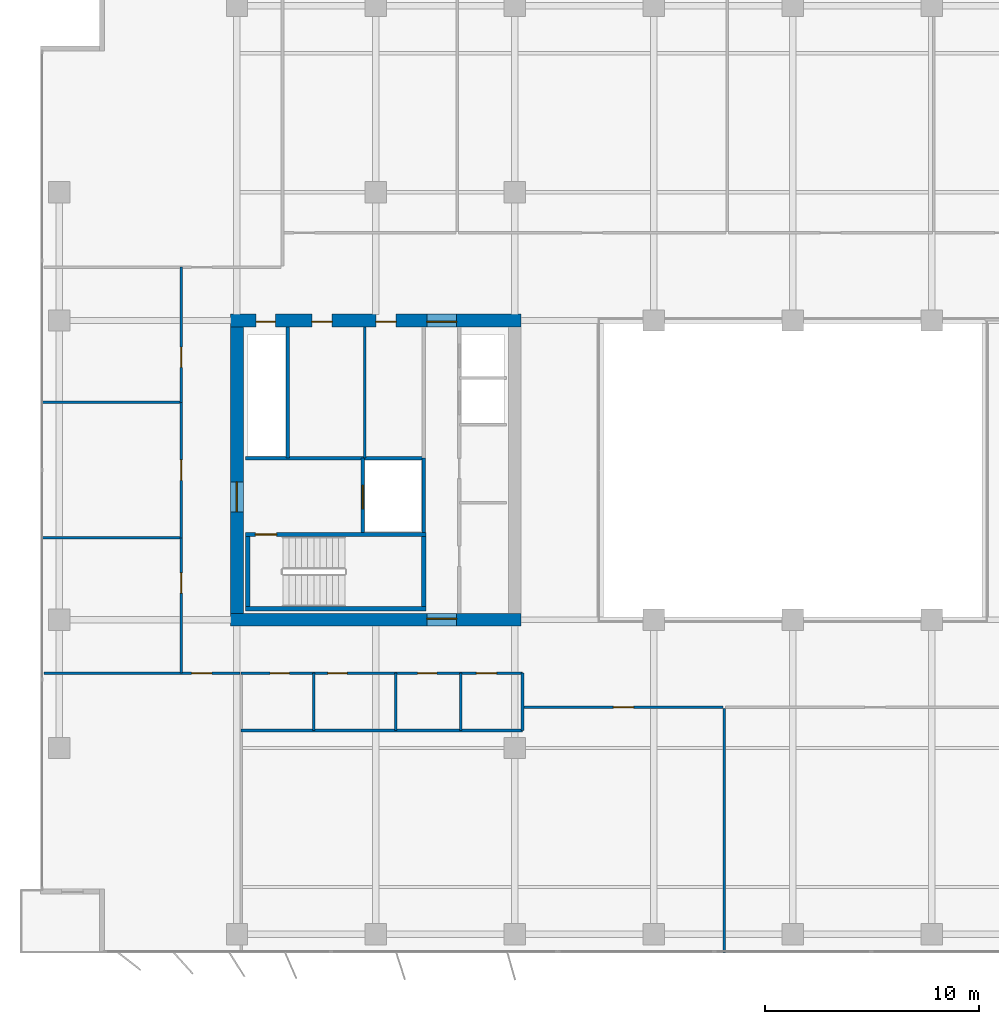
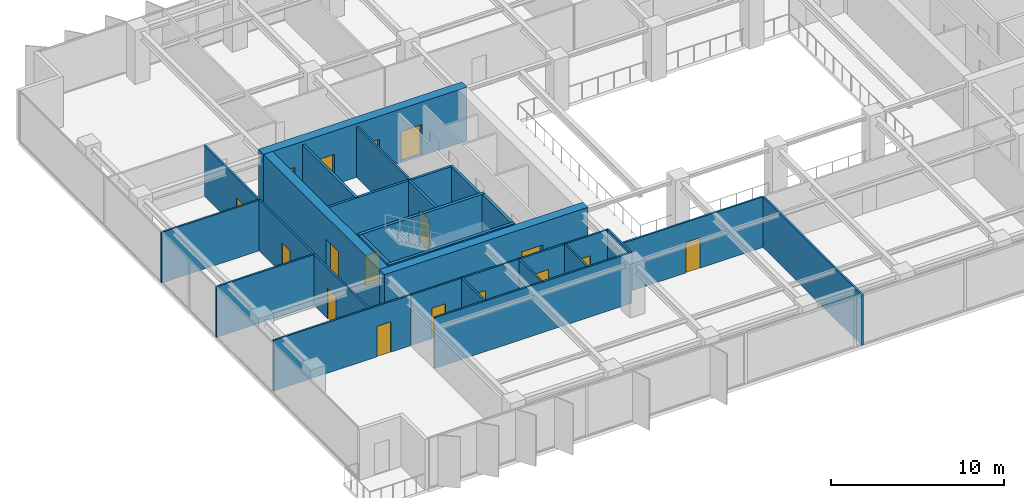
# One storey, part 15 of 22: 26 walls, 17 doors, 17 openings.
"""IFC4 building model written with IfcOpenShell, lengths in metres."""

from ifc_helpers import new_model, si_unit, direction, frame, frame_2d, origin, place, context, subcontext, project, spatial, rectangle, extrude, material, layer, layer_set, type_object, element, fill, save


model = new_model("IFC4")

# Units and contexts
model_context = context("Model", 3, precision=1e-05, world=origin(), true_north=direction((0.0, 1.0)))
body_context = subcontext(model_context, "Body", "Model", "MODEL_VIEW")
ifc_project = project(units=[si_unit("LENGTHUNIT", "METRE"), si_unit("AREAUNIT", "SQUARE_METRE"), si_unit("VOLUMEUNIT", "CUBIC_METRE"), si_unit("PLANEANGLEUNIT", "RADIAN"), si_unit("MASSUNIT", "GRAM", prefix="KILO")], contexts=[model_context])

# Site, building, storey
site_placement = place(None, origin())
site = spatial("IfcSite", under=ifc_project, at=site_placement, CompositionType="ELEMENT")
building_placement = place(site_placement, origin())
building = spatial("IfcBuilding", under=site, at=building_placement, Name="Putna Gate Headquarters", CompositionType="ELEMENT")
storey_placement = place(building_placement, frame((0.0, 0.0, 159.39990234375)))
storey = spatial("IfcBuildingStorey", under=building, at=storey_placement, Name="L39", CompositionType="ELEMENT", Elevation=159.39990234375)

# Wall, opening, door
ifc_material_1 = material(Name="Concrete C50/60", Category="concrete")
ifc_layer_1 = layer(ifc_material_1, 0.60009765625)
ifc_layer_set_1 = layer_set([ifc_layer_1], Name="Concrete C50/60")
wall_type_1 = type_object("IfcWallType", Name="WALL-CORE-600", PredefinedType="SHEAR", material=ifc_layer_set_1)
wall_1_placement = place(storey_placement, frame((12.699951171875, 19.0, 0.0), z_axis=(0.0, 0.0, 1.0), x_axis=(1.0, 0.0, 0.0)))
wall_1 = element("IfcWall", 1, at=wall_1_placement, inside=storey, type_object=wall_type_1, Name="L39 WC Split Core Shear Wall S", PredefinedType="SHEAR", context=body_context, shape_type="SweptSolid", body=[
    extrude(rectangle(XDim=13.60009765625, YDim=0.60009765625, at=frame_2d((6.800048828125, 0.0))), origin(), (0.0, 0.0, 1.0), 3.800048828125),
])
opening_1_placement = place(wall_1_placement, frame((9.179931640625, 0.0, 0.0)))
opening_1 = element("IfcOpeningElement", 2, at=opening_1_placement, cuts=wall_1, Name="Opening FDD-140", PredefinedType="OPENING", context=body_context, shape_type="SweptSolid", body=[
    extrude(rectangle(XDim=1.39990234375, YDim=2.199951171875, at=frame_2d((0.699951171875, 1.10009765625))), frame((0.0, 0.31005859375, 0.0), z_axis=(0.0, -1.0, 0.0), x_axis=(1.0, 0.0, 0.0)), (0.0, 0.0, 1.0), 0.6201171875),
])
ifc_material_2 = material(Name="Double steel fire door", Category="steel")
door_type_1 = type_object("IfcDoorType", Name="DOOR-FIRE-DBL-1400", OperationType="DOUBLE_DOOR_SINGLE_SWING", PredefinedType="DOOR", material=ifc_material_2)
door_1_placement = place(opening_1_placement, origin())
door_1 = element("IfcDoor", 3, at=door_1_placement, inside=storey, type_object=door_type_1, Name="L39 West Lift Lobby South Door", OperationType="DOUBLE_DOOR_SINGLE_SWING", OverallHeight=2.199951171875, OverallWidth=1.39990234375, PredefinedType="DOOR", context=body_context, shape_type="SweptSolid", body=[
    extrude(rectangle(XDim=1.39990234375, YDim=2.199951171875, at=frame_2d((0.699951171875, 1.10009765625))), frame((0.0, 0.0751953125, 0.0), z_axis=(0.0, -1.0, 0.0), x_axis=(1.0, 0.0, 0.0)), (0.0, 0.0, 1.0), 0.050048828125),
])
fill(opening_1, door_1)

# Wall, openings, doors
wall_2_placement = place(storey_placement, frame((12.699951171875, 33.0, 0.0), z_axis=(0.0, 0.0, 1.0), x_axis=(1.0, 0.0, 0.0)))
wall_2 = element("IfcWall", 4, at=wall_2_placement, inside=storey, type_object=wall_type_1, Name="L39 WC Split Core Shear Wall N", PredefinedType="SHEAR", context=body_context, shape_type="SweptSolid", body=[
    extrude(rectangle(XDim=13.60009765625, YDim=0.60009765625, at=frame_2d((6.800048828125, 0.0))), origin(), (0.0, 0.0, 1.0), 3.800048828125),
])
opening_2_placement = place(wall_2_placement, frame((1.199951171875, 0.0, 0.0)))
opening_2 = element("IfcOpeningElement", 5, at=opening_2_placement, cuts=wall_2, Name="Opening RD-90", PredefinedType="OPENING", context=body_context, shape_type="SweptSolid", body=[
    extrude(rectangle(XDim=0.89990234375, YDim=2.14990234375, at=frame_2d((0.449951171875, 1.074951171875))), frame((0.0, 0.31005859375, 0.0), z_axis=(0.0, -1.0, 0.0), x_axis=(1.0, 0.0, 0.0)), (0.0, 0.0, 1.0), 0.6201171875),
])
opening_3_placement = place(wall_2_placement, frame((3.800048828125, 0.0, 0.0)))
opening_3 = element("IfcOpeningElement", 6, at=opening_3_placement, cuts=wall_2, Name="Opening IDS-95", PredefinedType="OPENING", context=body_context, shape_type="SweptSolid", body=[
    extrude(rectangle(XDim=0.949951171875, YDim=2.14990234375, at=frame_2d((0.47509765625, 1.074951171875))), frame((0.0, 0.31005859375, 0.0), z_axis=(0.0, -1.0, 0.0), x_axis=(1.0, 0.0, 0.0)), (0.0, 0.0, 1.0), 0.6201171875),
])
opening_4_placement = place(wall_2_placement, frame((6.800048828125, 0.0, 0.0)))
opening_4 = element("IfcOpeningElement", 7, at=opening_4_placement, cuts=wall_2, Name="Opening IDS-95", PredefinedType="OPENING", context=body_context, shape_type="SweptSolid", body=[
    extrude(rectangle(XDim=0.949951171875, YDim=2.14990234375, at=frame_2d((0.47509765625, 1.074951171875))), frame((0.0, 0.31005859375, 0.0), z_axis=(0.0, -1.0, 0.0), x_axis=(1.0, 0.0, 0.0)), (0.0, 0.0, 1.0), 0.6201171875),
])
opening_5_placement = place(wall_2_placement, frame((9.179931640625, 0.0, 0.0)))
opening_5 = element("IfcOpeningElement", 8, at=opening_5_placement, cuts=wall_2, Name="Opening FDD-140", PredefinedType="OPENING", context=body_context, shape_type="SweptSolid", body=[
    extrude(rectangle(XDim=1.39990234375, YDim=2.199951171875, at=frame_2d((0.699951171875, 1.10009765625))), frame((0.0, 0.31005859375, 0.0), z_axis=(0.0, -1.0, 0.0), x_axis=(1.0, 0.0, 0.0)), (0.0, 0.0, 1.0), 0.6201171875),
])
door_2_placement = place(opening_5_placement, origin())
door_2 = element("IfcDoor", 9, at=door_2_placement, inside=storey, type_object=door_type_1, Name="L39 West Lift Lobby North Door", OperationType="DOUBLE_DOOR_SINGLE_SWING", OverallHeight=2.199951171875, OverallWidth=1.39990234375, PredefinedType="DOOR", context=body_context, shape_type="SweptSolid", body=[
    extrude(rectangle(XDim=1.39990234375, YDim=2.199951171875, at=frame_2d((0.699951171875, 1.10009765625))), frame((0.0, -0.02490234375, 0.0), z_axis=(0.0, -1.0, 0.0), x_axis=(1.0, 0.0, 0.0)), (0.0, 0.0, 1.0), 0.050048828125),
])
fill(opening_5, door_2)
ifc_material_3 = material(Name="Fire-rated service timber door", Category="wood")
door_type_2 = type_object("IfcDoorType", Name="DOOR-INT-950", OperationType="NOTDEFINED", PredefinedType="DOOR", material=ifc_material_3)
door_3_placement = place(opening_3_placement, origin())
door_3 = element("IfcDoor", 10, at=door_3_placement, inside=storey, type_object=door_type_2, Name="L39 Cleaner Store Door", OperationType="SINGLE_SWING_LEFT", OverallHeight=2.14990234375, OverallWidth=0.949951171875, PredefinedType="DOOR", context=body_context, shape_type="SweptSolid", body=[
    extrude(rectangle(XDim=0.949951171875, YDim=2.14990234375, at=frame_2d((0.47509765625, 1.074951171875))), frame((0.0, -0.02490234375, 0.0), z_axis=(0.0, -1.0, 0.0), x_axis=(1.0, 0.0, 0.0)), (0.0, 0.0, 1.0), 0.050048828125),
])
fill(opening_3, door_3)
door_4_placement = place(opening_4_placement, origin())
door_4 = element("IfcDoor", 11, at=door_4_placement, inside=storey, type_object=door_type_2, Name="L39 Comms Plant Door", OperationType="SINGLE_SWING_RIGHT", OverallHeight=2.14990234375, OverallWidth=0.949951171875, PredefinedType="DOOR", context=body_context, shape_type="SweptSolid", body=[
    extrude(rectangle(XDim=0.949951171875, YDim=2.14990234375, at=frame_2d((0.47509765625, 1.074951171875))), frame((0.0, -0.02490234375, 0.0), z_axis=(0.0, -1.0, 0.0), x_axis=(1.0, 0.0, 0.0)), (0.0, 0.0, 1.0), 0.050048828125),
])
fill(opening_4, door_4)
ifc_material_4 = material(Name="Steel riser access fire door", Category="steel")
door_type_3 = type_object("IfcDoorType", Name="DOOR-RISER-900", OperationType="NOTDEFINED", PredefinedType="DOOR", material=ifc_material_4)
door_5_placement = place(opening_2_placement, origin())
door_5 = element("IfcDoor", 12, at=door_5_placement, inside=storey, type_object=door_type_3, Name="L39 West Riser Access Door", OperationType="SINGLE_SWING_RIGHT", OverallHeight=2.14990234375, OverallWidth=0.89990234375, PredefinedType="DOOR", context=body_context, shape_type="SweptSolid", body=[
    extrude(rectangle(XDim=0.89990234375, YDim=2.14990234375, at=frame_2d((0.449951171875, 1.074951171875))), frame((0.0, -0.02490234375, 0.0), z_axis=(0.0, -1.0, 0.0), x_axis=(1.0, 0.0, 0.0)), (0.0, 0.0, 1.0), 0.050048828125),
])
fill(opening_2, door_5)

# Wall, opening, door
wall_3_placement = place(storey_placement, frame((13.0, 19.300048828125, 0.0), z_axis=(0.0, 0.0, 1.0), x_axis=(0.0, 1.0, 0.0)))
wall_3 = element("IfcWall", 13, at=wall_3_placement, inside=storey, type_object=wall_type_1, Name="L39 WC Split Core Shear Wall W", PredefinedType="SHEAR", context=body_context, shape_type="SweptSolid", body=[
    extrude(rectangle(XDim=13.39990234375, YDim=0.60009765625, at=frame_2d((6.699951171875, 0.0))), origin(), (0.0, 0.0, 1.0), 3.800048828125),
])
opening_6_placement = place(wall_3_placement, frame((4.75, 0.0, 0.0)))
opening_6 = element("IfcOpeningElement", 14, at=opening_6_placement, cuts=wall_3, Name="Opening FDD-140", PredefinedType="OPENING", context=body_context, shape_type="SweptSolid", body=[
    extrude(rectangle(XDim=1.39990234375, YDim=2.199951171875, at=frame_2d((0.699951171875, 1.10009765625))), frame((0.0, 0.31005859375, 0.0), z_axis=(0.0, -1.0, 0.0), x_axis=(1.0, 0.0, 0.0)), (0.0, 0.0, 1.0), 0.6201171875),
])
door_6_placement = place(opening_6_placement, origin())
door_6 = element("IfcDoor", 15, at=door_6_placement, inside=storey, type_object=door_type_1, Name="L39 West Firefighting Lobby Door", OperationType="DOUBLE_DOOR_SINGLE_SWING", OverallHeight=2.199951171875, OverallWidth=1.39990234375, PredefinedType="DOOR", context=body_context, shape_type="SweptSolid", body=[
    extrude(rectangle(XDim=1.39990234375, YDim=2.199951171875, at=frame_2d((0.699951171875, 1.10009765625))), frame((0.0, 0.02490234375, 0.0), z_axis=(0.0, -1.0, 0.0), x_axis=(1.0, 0.0, 0.0)), (0.0, 0.0, 1.0), 0.050048828125),
])
fill(opening_6, door_6)

# Walls
ifc_material_5 = material(Name="Acoustic gypsum board on metal stud")
ifc_layer_2 = layer(ifc_material_5, 0.1201171875)
ifc_layer_set_2 = layer_set([ifc_layer_2], Name="Acoustic gypsum board on metal stud")
wall_type_2 = type_object("IfcWallType", Name="WALL-PART-120", PredefinedType="PARTITIONING", material=ifc_layer_set_2)
wall_4_placement = place(storey_placement, frame((35.800048828125, 3.419921875, 0.0), z_axis=(0.0, 0.0, 1.0), x_axis=(0.0, 1.0, 0.0)))
element("IfcWall", 16, at=wall_4_placement, inside=storey, type_object=wall_type_2, Name="L39 Interior Wall PART-L39-SB-DIV-02", PredefinedType="PARTITIONING", context=body_context, shape_type="SweptSolid", body=[
    extrude(rectangle(XDim=11.420166015625, YDim=0.1201171875, at=frame_2d((5.7099609375, 0.0))), origin(), (0.0, 0.0, 1.0), 3.572021484375),
])
for number, where, z_axis, x_axis, name in (
    (17, (3.820068359375, 22.833251953125, 0.0), (0.0, 0.0, 1.0), (1.0, 0.0, 0.0), "L39 Interior Wall PART-L39-WW-DIV-1"),
    (18, (3.820068359375, 29.166748046875, 0.0), (0.0, 0.0, 1.0), (1.0, 0.0, 0.0), "L39 Interior Wall PART-L39-WW-DIV-2"),
):
    element("IfcWall", number, at=place(storey_placement, frame(where, z_axis=z_axis, x_axis=x_axis)), inside=storey, type_object=wall_type_2, Name=name, PredefinedType="PARTITIONING", context=body_context, shape_type="SweptSolid", body=[
        extrude(rectangle(XDim=6.579833984375, YDim=0.1201171875, at=frame_2d((3.2900390625, 0.0))), origin(), (0.0, 0.0, 1.0), 3.572021484375),
    ])
ifc_material_6 = material(Name="Fire-rated gypsum board on metal stud")
ifc_layer_3 = layer(ifc_material_6, 0.1201171875)
ifc_layer_set_3 = layer_set([ifc_layer_3], Name="Fire-rated gypsum board on metal stud")
wall_type_3 = type_object("IfcWallType", Name="WALL-PART-120-RATED", PredefinedType="PARTITIONING", material=ifc_layer_set_3)
wall_5_placement = place(storey_placement, frame((18.969970703125, 26.56005859375, 0.0), z_axis=(0.0, 0.0, 1.0), x_axis=(0.0, 1.0, 0.0)))
element("IfcWall", 19, at=wall_5_placement, inside=storey, type_object=wall_type_3, Name="L39 Interior Wall CWINT-L39-WC-K0-DIV", PredefinedType="PARTITIONING", context=body_context, shape_type="SweptSolid", body=[
    extrude(rectangle(XDim=6.139892578125, YDim=0.1201171875, at=frame_2d((3.06982421875, 0.0))), origin(), (0.0, 0.0, 1.0), 3.572021484375),
])

# Wall, openings, doors
wall_6_placement = place(storey_placement, frame((13.199951171875, 16.5, 0.0), z_axis=(0.0, 0.0, 1.0), x_axis=(1.0, 0.0, 0.0)))
wall_6 = element("IfcWall", 20, at=wall_6_placement, inside=storey, type_object=wall_type_3, Name="L39 Interior Wall PART-L39-SAN-CW", PredefinedType="PARTITIONING", context=body_context, shape_type="SweptSolid", body=[
    extrude(rectangle(XDim=13.16015625, YDim=0.1201171875, at=frame_2d((6.580078125, 0.0))), origin(), (0.0, 0.0, 1.0), 3.572021484375),
])
opening_7_placement = place(wall_6_placement, frame((1.35009765625, 0.0, 0.0)))
opening_7 = element("IfcOpeningElement", 21, at=opening_7_placement, cuts=wall_6, Name="Opening FD-90", PredefinedType="OPENING", context=body_context, shape_type="SweptSolid", body=[
    extrude(rectangle(XDim=0.89990234375, YDim=2.14990234375, at=frame_2d((0.449951171875, 1.074951171875))), frame((0.0, 0.070068359375, 0.0), z_axis=(0.0, -1.0, 0.0), x_axis=(1.0, 0.0, 0.0)), (0.0, 0.0, 1.0), 0.14013671875),
])
opening_8_placement = place(wall_6_placement, frame((4.050048828125, 0.0, 0.0)))
opening_8 = element("IfcOpeningElement", 22, at=opening_8_placement, cuts=wall_6, Name="Opening FD-90", PredefinedType="OPENING", context=body_context, shape_type="SweptSolid", body=[
    extrude(rectangle(XDim=0.89990234375, YDim=2.14990234375, at=frame_2d((0.449951171875, 1.074951171875))), frame((0.0, 0.070068359375, 0.0), z_axis=(0.0, -1.0, 0.0), x_axis=(1.0, 0.0, 0.0)), (0.0, 0.0, 1.0), 0.14013671875),
])
opening_9_placement = place(wall_6_placement, frame((8.25, 0.0, 0.0)))
opening_9 = element("IfcOpeningElement", 23, at=opening_9_placement, cuts=wall_6, Name="Opening FD-90", PredefinedType="OPENING", context=body_context, shape_type="SweptSolid", body=[
    extrude(rectangle(XDim=0.89990234375, YDim=2.14990234375, at=frame_2d((0.449951171875, 1.074951171875))), frame((0.0, 0.070068359375, 0.0), z_axis=(0.0, -1.0, 0.0), x_axis=(1.0, 0.0, 0.0)), (0.0, 0.0, 1.0), 0.14013671875),
])
opening_10_placement = place(wall_6_placement, frame((11.0, 0.0, 0.0)))
opening_10 = element("IfcOpeningElement", 24, at=opening_10_placement, cuts=wall_6, Name="Opening FD-95", PredefinedType="OPENING", context=body_context, shape_type="SweptSolid", body=[
    extrude(rectangle(XDim=0.949951171875, YDim=2.14990234375, at=frame_2d((0.47509765625, 1.074951171875))), frame((0.0, 0.070068359375, 0.0), z_axis=(0.0, -1.0, 0.0), x_axis=(1.0, 0.0, 0.0)), (0.0, 0.0, 1.0), 0.14013671875),
])
ifc_material_7 = material(Name="Acoustic washroom fire door")
door_type_4 = type_object("IfcDoorType", Name="DOOR-FIRE-900", OperationType="NOTDEFINED", PredefinedType="DOOR", material=ifc_material_7)
door_7_placement = place(opening_7_placement, origin())
door_7 = element("IfcDoor", 25, at=door_7_placement, inside=storey, type_object=door_type_4, Name="L39 Washroom Male Door", OperationType="SINGLE_SWING_RIGHT", OverallHeight=2.14990234375, OverallWidth=0.89990234375, PredefinedType="DOOR", context=body_context, shape_type="SweptSolid", body=[
    extrude(rectangle(XDim=0.89990234375, YDim=2.14990234375, at=frame_2d((0.449951171875, 1.074951171875))), frame((0.0, 0.02490234375, 0.0), z_axis=(0.0, -1.0, 0.0), x_axis=(1.0, 0.0, 0.0)), (0.0, 0.0, 1.0), 0.050048828125),
])
fill(opening_7, door_7)
door_8_placement = place(opening_8_placement, origin())
door_8 = element("IfcDoor", 26, at=door_8_placement, inside=storey, type_object=door_type_4, Name="L39 Washroom Female Door", OperationType="SINGLE_SWING_LEFT", OverallHeight=2.14990234375, OverallWidth=0.89990234375, PredefinedType="DOOR", context=body_context, shape_type="SweptSolid", body=[
    extrude(rectangle(XDim=0.89990234375, YDim=2.14990234375, at=frame_2d((0.449951171875, 1.074951171875))), frame((0.0, 0.02490234375, 0.0), z_axis=(0.0, -1.0, 0.0), x_axis=(1.0, 0.0, 0.0)), (0.0, 0.0, 1.0), 0.050048828125),
])
fill(opening_8, door_8)
door_9_placement = place(opening_9_placement, origin())
door_9 = element("IfcDoor", 27, at=door_9_placement, inside=storey, type_object=door_type_4, Name="L39 Accessible WC Door", OperationType="SINGLE_SWING_RIGHT", OverallHeight=2.14990234375, OverallWidth=0.89990234375, PredefinedType="DOOR", context=body_context, shape_type="SweptSolid", body=[
    extrude(rectangle(XDim=0.89990234375, YDim=2.14990234375, at=frame_2d((0.449951171875, 1.074951171875))), frame((0.0, 0.02490234375, 0.0), z_axis=(0.0, -1.0, 0.0), x_axis=(1.0, 0.0, 0.0)), (0.0, 0.0, 1.0), 0.050048828125),
])
fill(opening_9, door_9)
ifc_material_8 = material(Name="Acoustic timber fire door", Category="wood")
door_type_5 = type_object("IfcDoorType", Name="DOOR-FIRE-950", OperationType="NOTDEFINED", PredefinedType="DOOR", material=ifc_material_8)
door_10_placement = place(opening_10_placement, origin())
door_10 = element("IfcDoor", 28, at=door_10_placement, inside=storey, type_object=door_type_5, Name="L39 Staff Pantry and Tea Point Door", OperationType="SINGLE_SWING_LEFT", OverallHeight=2.14990234375, OverallWidth=0.949951171875, PredefinedType="DOOR", context=body_context, shape_type="SweptSolid", body=[
    extrude(rectangle(XDim=0.949951171875, YDim=2.14990234375, at=frame_2d((0.47509765625, 1.074951171875))), frame((0.0, 0.02490234375, 0.0), z_axis=(0.0, -1.0, 0.0), x_axis=(1.0, 0.0, 0.0)), (0.0, 0.0, 1.0), 0.050048828125),
])
fill(opening_10, door_10)

# Walls
wall_7_placement = place(storey_placement, frame((13.199951171875, 13.820068359375, 0.0), z_axis=(0.0, 0.0, 1.0), x_axis=(1.0, 0.0, 0.0)))
element("IfcWall", 29, at=wall_7_placement, inside=storey, type_object=wall_type_3, Name="L39 Interior Wall PART-L39-SAN-BACK", PredefinedType="PARTITIONING", context=body_context, shape_type="SweptSolid", body=[
    extrude(rectangle(XDim=13.16015625, YDim=0.1201171875, at=frame_2d((6.580078125, 0.0))), origin(), (0.0, 0.0, 1.0), 3.572021484375),
])
for number, where, z_axis, x_axis, name in (
    (30, (16.60009765625, 13.820068359375, 0.0), (0.0, 0.0, 1.0), (0.0, 1.0, 0.0), "L39 Interior Wall PART-L39-SAN-DIV-1"),
    (31, (20.419921875, 13.820068359375, 0.0), (0.0, 0.0, 1.0), (0.0, 1.0, 0.0), "L39 Interior Wall PART-L39-SAN-DIV-2"),
    (32, (23.4599609375, 13.820068359375, 0.0), (0.0, 0.0, 1.0), (0.0, 1.0, 0.0), "L39 Interior Wall PART-L39-SAN-DIV-3"),
    (33, (26.360107421875, 13.820068359375, 0.0), (0.0, 0.0, 1.0), (0.0, 1.0, 0.0), "L39 Interior Wall PART-L39-SAN-DIV-4"),
):
    element("IfcWall", number, at=place(storey_placement, frame(where, z_axis=z_axis, x_axis=x_axis)), inside=storey, type_object=wall_type_3, Name=name, PredefinedType="PARTITIONING", context=body_context, shape_type="SweptSolid", body=[
        extrude(rectangle(XDim=2.679931640625, YDim=0.1201171875, at=frame_2d((1.33984375, 0.0))), origin(), (0.0, 0.0, 1.0), 3.572021484375),
    ])

# Wall, opening, door
wall_8_placement = place(storey_placement, frame((3.97998046875, 16.5, 0.0), z_axis=(0.0, 0.0, 1.0), x_axis=(1.0, 0.0, 0.0)))
wall_8 = element("IfcWall", 34, at=wall_8_placement, inside=storey, type_object=wall_type_3, Name="L39 Interior Wall PART-L39-SB-CW-01", PredefinedType="PARTITIONING", context=body_context, shape_type="SweptSolid", body=[
    extrude(rectangle(XDim=9.159912109375, YDim=0.1201171875, at=frame_2d((4.580078125, 0.0))), origin(), (0.0, 0.0, 1.0), 3.572021484375),
])
opening_11_placement = place(wall_8_placement, frame((6.89990234375, 0.0, 0.0)))
opening_11 = element("IfcOpeningElement", 35, at=opening_11_placement, cuts=wall_8, Name="Opening FD-95", PredefinedType="OPENING", context=body_context, shape_type="SweptSolid", body=[
    extrude(rectangle(XDim=0.949951171875, YDim=2.14990234375, at=frame_2d((0.47509765625, 1.074951171875))), frame((0.0, 0.070068359375, 0.0), z_axis=(0.0, -1.0, 0.0), x_axis=(1.0, 0.0, 0.0)), (0.0, 0.0, 1.0), 0.14013671875),
])
door_11_placement = place(opening_11_placement, origin())
door_11 = element("IfcDoor", 36, at=door_11_placement, inside=storey, type_object=door_type_5, Name="L39 Cellular Office 3 Door", OperationType="SINGLE_SWING_LEFT", OverallHeight=2.14990234375, OverallWidth=0.949951171875, PredefinedType="DOOR", context=body_context, shape_type="SweptSolid", body=[
    extrude(rectangle(XDim=0.949951171875, YDim=2.14990234375, at=frame_2d((0.47509765625, 1.074951171875))), frame((0.0, 0.02490234375, 0.0), z_axis=(0.0, -1.0, 0.0), x_axis=(1.0, 0.0, 0.0)), (0.0, 0.0, 1.0), 0.050048828125),
])
fill(opening_11, door_11)

wall_9_placement = place(storey_placement, frame((26.419921875, 14.89990234375, 0.0), z_axis=(0.0, 0.0, 1.0), x_axis=(1.0, 0.0, 0.0)))
wall_9 = element("IfcWall", 37, at=wall_9_placement, inside=storey, type_object=wall_type_3, Name="L39 Interior Wall PART-L39-SB-CW-02", PredefinedType="PARTITIONING", context=body_context, shape_type="SweptSolid", body=[
    extrude(rectangle(XDim=9.320068359375, YDim=0.1201171875, at=frame_2d((4.66015625, 0.0))), origin(), (0.0, 0.0, 1.0), 3.572021484375),
])
opening_12_placement = place(wall_9_placement, frame((4.18505859375, 0.0, 0.0)))
opening_12 = element("IfcOpeningElement", 38, at=opening_12_placement, cuts=wall_9, Name="Opening FD-95", PredefinedType="OPENING", context=body_context, shape_type="SweptSolid", body=[
    extrude(rectangle(XDim=0.949951171875, YDim=2.14990234375, at=frame_2d((0.47509765625, 1.074951171875))), frame((0.0, 0.070068359375, 0.0), z_axis=(0.0, -1.0, 0.0), x_axis=(1.0, 0.0, 0.0)), (0.0, 0.0, 1.0), 0.14013671875),
])
door_12_placement = place(opening_12_placement, origin())
door_12 = element("IfcDoor", 39, at=door_12_placement, inside=storey, type_object=door_type_5, Name="L39 Primary Open Office Workplace Door", OperationType="SINGLE_SWING_RIGHT", OverallHeight=2.14990234375, OverallWidth=0.949951171875, PredefinedType="DOOR", context=body_context, shape_type="SweptSolid", body=[
    extrude(rectangle(XDim=0.949951171875, YDim=2.14990234375, at=frame_2d((0.47509765625, 1.074951171875))), frame((0.0, 0.02490234375, 0.0), z_axis=(0.0, -1.0, 0.0), x_axis=(1.0, 0.0, 0.0)), (0.0, 0.0, 1.0), 0.050048828125),
])
fill(opening_12, door_12)

wall_10_placement = place(storey_placement, frame((10.39990234375, 16.5, 0.0), z_axis=(0.0, 0.0, 1.0), x_axis=(0.0, 1.0, 0.0)))
wall_10 = element("IfcWall", 40, at=wall_10_placement, inside=storey, type_object=wall_type_3, Name="L39 Interior Wall PART-L39-WW-CW-1", PredefinedType="PARTITIONING", context=body_context, shape_type="SweptSolid", body=[
    extrude(rectangle(XDim=6.333251953125, YDim=0.1201171875, at=frame_2d((3.16650390625, 0.0))), origin(), (0.0, 0.0, 1.0), 3.572021484375),
])
opening_13_placement = place(wall_10_placement, frame((3.74169921875, 0.0, 0.0)))
opening_13 = element("IfcOpeningElement", 41, at=opening_13_placement, cuts=wall_10, Name="Opening FD-95", PredefinedType="OPENING", context=body_context, shape_type="SweptSolid", body=[
    extrude(rectangle(XDim=0.949951171875, YDim=2.14990234375, at=frame_2d((0.47509765625, 1.074951171875))), frame((0.0, 0.070068359375, 0.0), z_axis=(0.0, -1.0, 0.0), x_axis=(1.0, 0.0, 0.0)), (0.0, 0.0, 1.0), 0.14013671875),
])
door_13_placement = place(opening_13_placement, origin())
door_13 = element("IfcDoor", 42, at=door_13_placement, inside=storey, type_object=door_type_5, Name="L39 West Executive Office 1 Door", OperationType="SINGLE_SWING_RIGHT", OverallHeight=2.14990234375, OverallWidth=0.949951171875, PredefinedType="DOOR", context=body_context, shape_type="SweptSolid", body=[
    extrude(rectangle(XDim=0.949951171875, YDim=2.14990234375, at=frame_2d((0.47509765625, 1.074951171875))), frame((0.0, 0.02490234375, 0.0), z_axis=(0.0, -1.0, 0.0), x_axis=(1.0, 0.0, 0.0)), (0.0, 0.0, 1.0), 0.050048828125),
])
fill(opening_13, door_13)

wall_11_placement = place(storey_placement, frame((10.39990234375, 22.833251953125, 0.0), z_axis=(0.0, 0.0, 1.0), x_axis=(0.0, 1.0, 0.0)))
wall_11 = element("IfcWall", 43, at=wall_11_placement, inside=storey, type_object=wall_type_3, Name="L39 Interior Wall PART-L39-WW-CW-2", PredefinedType="PARTITIONING", context=body_context, shape_type="SweptSolid", body=[
    extrude(rectangle(XDim=6.33349609375, YDim=0.1201171875, at=frame_2d((3.166748046875, 0.0))), origin(), (0.0, 0.0, 1.0), 3.572021484375),
])
opening_14_placement = place(wall_11_placement, frame((2.691650390625, 0.0, 0.0)))
opening_14 = element("IfcOpeningElement", 44, at=opening_14_placement, cuts=wall_11, Name="Opening FD-95", PredefinedType="OPENING", context=body_context, shape_type="SweptSolid", body=[
    extrude(rectangle(XDim=0.949951171875, YDim=2.14990234375, at=frame_2d((0.47509765625, 1.074951171875))), frame((0.0, 0.070068359375, 0.0), z_axis=(0.0, -1.0, 0.0), x_axis=(1.0, 0.0, 0.0)), (0.0, 0.0, 1.0), 0.14013671875),
])
door_14_placement = place(opening_14_placement, origin())
door_14 = element("IfcDoor", 45, at=door_14_placement, inside=storey, type_object=door_type_5, Name="L39 West Executive Office 2 Door", OperationType="SINGLE_SWING_LEFT", OverallHeight=2.14990234375, OverallWidth=0.949951171875, PredefinedType="DOOR", context=body_context, shape_type="SweptSolid", body=[
    extrude(rectangle(XDim=0.949951171875, YDim=2.14990234375, at=frame_2d((0.47509765625, 1.074951171875))), frame((0.0, 0.02490234375, 0.0), z_axis=(0.0, -1.0, 0.0), x_axis=(1.0, 0.0, 0.0)), (0.0, 0.0, 1.0), 0.050048828125),
])
fill(opening_14, door_14)

wall_12_placement = place(storey_placement, frame((10.39990234375, 29.166748046875, 0.0), z_axis=(0.0, 0.0, 1.0), x_axis=(0.0, 1.0, 0.0)))
wall_12 = element("IfcWall", 46, at=wall_12_placement, inside=storey, type_object=wall_type_3, Name="L39 Interior Wall PART-L39-WW-CW-3", PredefinedType="PARTITIONING", context=body_context, shape_type="SweptSolid", body=[
    extrude(rectangle(XDim=6.333251953125, YDim=0.1201171875, at=frame_2d((3.16650390625, 0.0))), origin(), (0.0, 0.0, 1.0), 3.572021484375),
])
opening_15_placement = place(wall_12_placement, frame((1.6416015625, 0.0, 0.0)))
opening_15 = element("IfcOpeningElement", 47, at=opening_15_placement, cuts=wall_12, Name="Opening FD-95", PredefinedType="OPENING", context=body_context, shape_type="SweptSolid", body=[
    extrude(rectangle(XDim=0.949951171875, YDim=2.14990234375, at=frame_2d((0.47509765625, 1.074951171875))), frame((0.0, 0.070068359375, 0.0), z_axis=(0.0, -1.0, 0.0), x_axis=(1.0, 0.0, 0.0)), (0.0, 0.0, 1.0), 0.14013671875),
])
door_15_placement = place(opening_15_placement, origin())
door_15 = element("IfcDoor", 48, at=door_15_placement, inside=storey, type_object=door_type_5, Name="L39 West Project Meeting Room 3 Door", OperationType="SINGLE_SWING_RIGHT", OverallHeight=2.14990234375, OverallWidth=0.949951171875, PredefinedType="DOOR", context=body_context, shape_type="SweptSolid", body=[
    extrude(rectangle(XDim=0.949951171875, YDim=2.14990234375, at=frame_2d((0.47509765625, 1.074951171875))), frame((0.0, 0.02490234375, 0.0), z_axis=(0.0, -1.0, 0.0), x_axis=(1.0, 0.0, 0.0)), (0.0, 0.0, 1.0), 0.050048828125),
])
fill(opening_15, door_15)

# Wall
ifc_material_9 = material(Name="Concrete C40/50", Category="concrete")
ifc_layer_4 = layer(ifc_material_9, 0.159912109375)
ifc_layer_set_4 = layer_set([ifc_layer_4], Name="Concrete C40/50")
wall_type_4 = type_object("IfcWallType", Name="WALL-SHAFT-160", PredefinedType="STANDARD", material=ifc_layer_set_4)
wall_13_placement = place(storey_placement, frame((21.739990234375, 23.090087890625, 0.0), z_axis=(0.0, 0.0, 1.0), x_axis=(0.0, 1.0, 0.0)))
element("IfcWall", 49, at=wall_13_placement, inside=storey, type_object=wall_type_4, Name="L39 Interior Wall CWINT-L39-WC-FFL-E", PredefinedType="STANDARD", context=body_context, shape_type="SweptSolid", body=[
    extrude(rectangle(XDim=3.469970703125, YDim=0.159912109375, at=frame_2d((1.73486328125, 0.0))), origin(), (0.0, 0.0, 1.0), 3.572021484375),
])

# Wall, opening, door
wall_14_placement = place(storey_placement, frame((18.8798828125, 23.090087890625, 0.0), z_axis=(0.0, 0.0, 1.0), x_axis=(0.0, 1.0, 0.0)))
wall_14 = element("IfcWall", 50, at=wall_14_placement, inside=storey, type_object=wall_type_4, Name="L39 Interior Wall CWINT-L39-WC-LF13-W", PredefinedType="STANDARD", context=body_context, shape_type="SweptSolid", body=[
    extrude(rectangle(XDim=3.469970703125, YDim=0.159912109375, at=frame_2d((1.73486328125, 0.0))), origin(), (0.0, 0.0, 1.0), 3.572021484375),
])
opening_16_placement = place(wall_14_placement, frame((1.10009765625, 0.0, 0.0)))
opening_16 = element("IfcOpeningElement", 51, at=opening_16_placement, cuts=wall_14, Name="Opening LD-1", PredefinedType="OPENING", context=body_context, shape_type="SweptSolid", body=[
    extrude(rectangle(XDim=1.10009765625, YDim=2.199951171875, at=frame_2d((0.550048828125, 1.10009765625))), frame((0.0, 0.08984375, 0.0), z_axis=(0.0, -1.0, 0.0), x_axis=(1.0, 0.0, 0.0)), (0.0, 0.0, 1.0), 0.179931640625),
])
ifc_material_10 = material(Name="Brushed bronze stainless lift landing door")
door_type_6 = type_object("IfcDoorType", Name="DOOR-LIFT-1100", OperationType="DOUBLE_DOOR_SLIDING", PredefinedType="DOOR", material=ifc_material_10)
door_16_placement = place(opening_16_placement, origin())
door_16 = element("IfcDoor", 52, at=door_16_placement, inside=storey, type_object=door_type_6, Name="L39 Lift Landing Door LD-13", OperationType="DOUBLE_DOOR_SLIDING", OverallHeight=2.199951171875, OverallWidth=1.10009765625, PredefinedType="DOOR", context=body_context, shape_type="SweptSolid", body=[
    extrude(rectangle(XDim=1.10009765625, YDim=2.199951171875, at=frame_2d((0.550048828125, 1.10009765625))), frame((0.0, 0.02490234375, 0.0), z_axis=(0.0, -1.0, 0.0), x_axis=(1.0, 0.0, 0.0)), (0.0, 0.0, 1.0), 0.050048828125),
])
fill(opening_16, door_16)

# Walls
wall_15_placement = place(storey_placement, frame((13.39990234375, 26.56005859375, 0.0), z_axis=(0.0, 0.0, 1.0), x_axis=(1.0, 0.0, 0.0)))
element("IfcWall", 53, at=wall_15_placement, inside=storey, type_object=wall_type_4, Name="L39 Interior Wall CWINT-L39-WC-FFL-N", PredefinedType="STANDARD", context=body_context, shape_type="SweptSolid", body=[
    extrude(rectangle(XDim=8.340087890625, YDim=0.159912109375, at=frame_2d((4.169921875, 0.0))), origin(), (0.0, 0.0, 1.0), 3.572021484375),
])
wall_16_placement = place(storey_placement, frame((15.3798828125, 26.56005859375, 0.0), z_axis=(0.0, 0.0, 1.0), x_axis=(0.0, 1.0, 0.0)))
element("IfcWall", 54, at=wall_16_placement, inside=storey, type_object=wall_type_4, Name="L39 Interior Wall CWINT-L39-WC-RISER-E", PredefinedType="STANDARD", context=body_context, shape_type="SweptSolid", body=[
    extrude(rectangle(XDim=6.139892578125, YDim=0.159912109375, at=frame_2d((3.06982421875, 0.0))), origin(), (0.0, 0.0, 1.0), 3.572021484375),
])
ifc_layer_5 = layer(ifc_material_9, 0.199951171875)
ifc_layer_set_5 = layer_set([ifc_layer_5], Name="Concrete C40/50")
wall_type_5 = type_object("IfcWallType", Name="WALL-SHAFT-RC200", PredefinedType="SHEAR", material=ifc_layer_set_5)
wall_17_placement = place(storey_placement, frame((13.409912109375, 19.510009765625, 0.0), z_axis=(0.0, 0.0, 1.0), x_axis=(1.0, 0.0, 0.0)))
element("IfcWall", 55, at=wall_17_placement, inside=storey, type_object=wall_type_5, Name="L39 Stair ST1 Structural Shaft Wall S", PredefinedType="SHEAR", context=body_context, shape_type="SweptSolid", body=[
    extrude(rectangle(XDim=8.43017578125, YDim=0.199951171875, at=frame_2d((4.215087890625, 0.0))), origin(), (0.0, 0.0, 1.0), 3.800048828125),
])

# Wall, opening, door
wall_18_placement = place(storey_placement, frame((13.409912109375, 22.989990234375, 0.0), z_axis=(0.0, 0.0, 1.0), x_axis=(1.0, 0.0, 0.0)))
wall_18 = element("IfcWall", 56, at=wall_18_placement, inside=storey, type_object=wall_type_5, Name="L39 Stair ST1 Structural Shaft Wall N", PredefinedType="SHEAR", context=body_context, shape_type="SweptSolid", body=[
    extrude(rectangle(XDim=8.43017578125, YDim=0.199951171875, at=frame_2d((4.215087890625, 0.0))), origin(), (0.0, 0.0, 1.0), 3.800048828125),
])
opening_17_placement = place(wall_18_placement, frame((0.449951171875, 0.0, 0.0)))
opening_17 = element("IfcOpeningElement", 57, at=opening_17_placement, cuts=wall_18, Name="Opening FD-100", PredefinedType="OPENING", context=body_context, shape_type="SweptSolid", body=[
    extrude(rectangle(XDim=1.0, YDim=2.14990234375, at=frame_2d((0.5, 1.074951171875))), frame((0.0, 0.10986328125, 0.0), z_axis=(0.0, -1.0, 0.0), x_axis=(1.0, 0.0, 0.0)), (0.0, 0.0, 1.0), 0.219970703125),
])
ifc_material_11 = material(Name="Powder-coated steel fire door", Category="steel")
door_type_7 = type_object("IfcDoorType", Name="DOOR-FIRE-1000", OperationType="NOTDEFINED", PredefinedType="DOOR", material=ifc_material_11)
door_17_placement = place(opening_17_placement, origin())
door_17 = element("IfcDoor", 58, at=door_17_placement, inside=storey, type_object=door_type_7, Name="L39 Stair ST1 Fire Door", OperationType="SINGLE_SWING_LEFT", OverallHeight=2.14990234375, OverallWidth=1.0, PredefinedType="DOOR", context=body_context, shape_type="SweptSolid", body=[
    extrude(rectangle(XDim=1.0, YDim=2.14990234375, at=frame_2d((0.5, 1.074951171875))), frame((0.0, 0.02490234375, 0.0), z_axis=(0.0, -1.0, 0.0), x_axis=(1.0, 0.0, 0.0)), (0.0, 0.0, 1.0), 0.050048828125),
])
fill(opening_17, door_17)

# Walls
for number, where, z_axis, x_axis, name in (
    (59, (13.510009765625, 19.610107421875, 0.0), (0.0, 0.0, 1.0), (0.0, 1.0, 0.0), "L39 Stair ST1 Structural Shaft Wall W"),
    (60, (21.739990234375, 19.610107421875, 0.0), (0.0, 0.0, 1.0), (0.0, 1.0, 0.0), "L39 Stair ST1 Structural Shaft Wall E"),
):
    element("IfcWall", number, at=place(storey_placement, frame(where, z_axis=z_axis, x_axis=x_axis)), inside=storey, type_object=wall_type_5, Name=name, PredefinedType="SHEAR", context=body_context, shape_type="SweptSolid", body=[
        extrude(rectangle(XDim=3.27978515625, YDim=0.199951171875, at=frame_2d((1.639892578125, 0.0))), origin(), (0.0, 0.0, 1.0), 3.800048828125),
    ])

save(model, "model.ifc")
